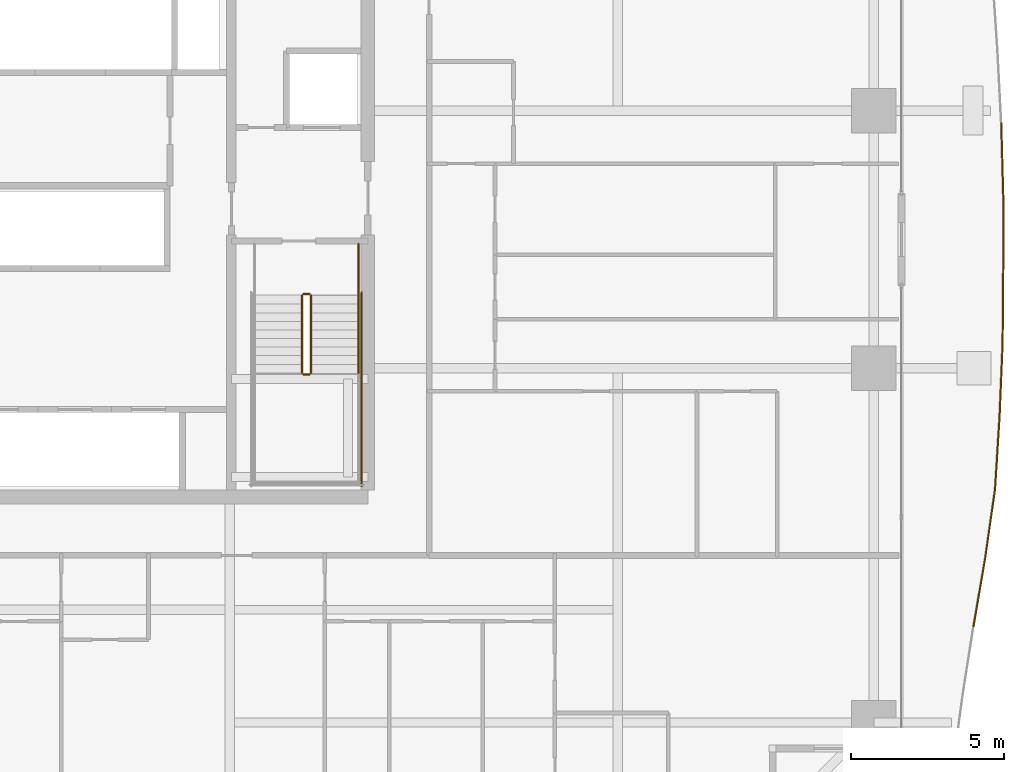
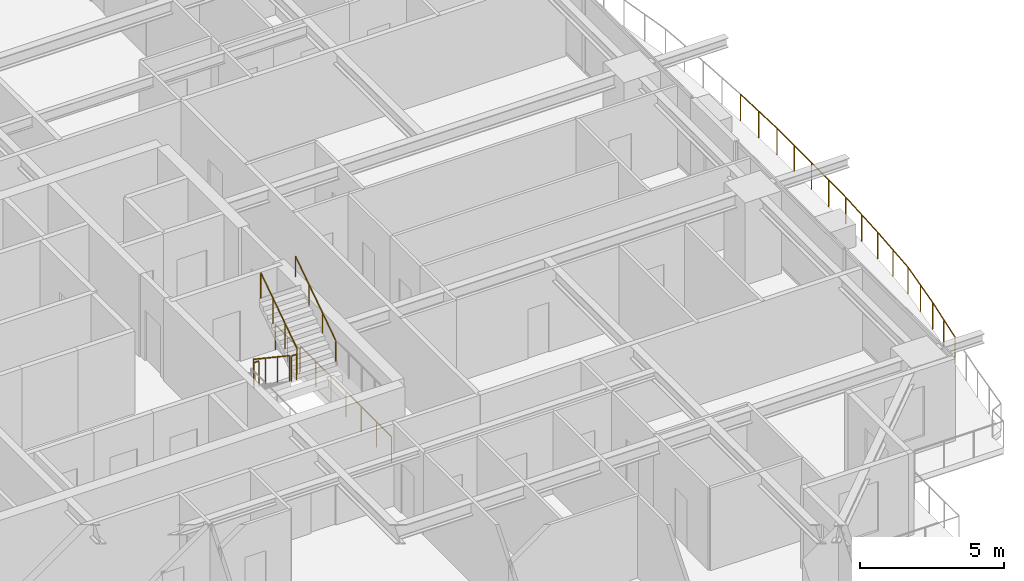
# One storey, part 37 of 39: 8 railings.
"""IFC4 building model written with IfcOpenShell, lengths in metres."""

import ifcopenshell
import ifcopenshell.guid

model = None  # the IFC model being written
_history = None  # IfcOwnerHistory: only IFC2X3 demands one
_inside = {}  # id of a spatial element -> (the spatial element, [elements in it])
_under = {}  # id of a project, library or spatial element -> (it, [spatial elements below it])
_declared = {}  # id of a project -> (the project, [libraries it declares])
_typed = {}  # id of a type object -> (the type object, [elements of that type])
_made_of = {}  # id of a material, layer set ... -> (it, [elements and type objects made of it])


def new_model(schema):
    """Start an empty IFC model of exactly this schema.

    Asked for "IFC4X3", IfcOpenShell would pick the latest addendum, in which some entities
    have other attributes; the version numbers below select the first issue.
    IFC2X3 requires an IfcOwnerHistory on every rooted entity: one is made here for all.
    """
    global model, _history
    if schema == "IFC4X3":
        model = ifcopenshell.file(schema_version=(4, 3, 0, 0))
    else:
        model = ifcopenshell.file(schema=schema)
    _inside.clear()
    _under.clear()
    _declared.clear()
    _typed.clear()
    _made_of.clear()
    _history = None
    if model.schema == "IFC2X3":
        org = make("IfcOrganization", Name="unknown")
        user = make(
            "IfcPersonAndOrganization",
            ThePerson=make("IfcPerson", FamilyName="unknown"),
            TheOrganization=org,
        )
        app = make(
            "IfcApplication",
            ApplicationDeveloper=org,
            Version="unknown",
            ApplicationFullName="unknown",
            ApplicationIdentifier="unknown",
        )
        _history = make(
            "IfcOwnerHistory",
            OwningUser=user,
            OwningApplication=app,
            ChangeAction="ADDED",
            CreationDate=0,
        )
    return model


def make(cls, **values):
    """One entity of the class cls with the attributes given. An attribute that is None is left unset."""
    return model.create_entity(
        cls, **{name: value for name, value in values.items() if value is not None}
    )


def rooted(cls, **values):
    """An entity with a GlobalId (a new one), such as an element, a storey or a relation."""
    return make(cls, GlobalId=ifcopenshell.guid.new(), OwnerHistory=_history, **values)


def si_unit(unit_type, name, prefix=None):
    """IfcSIUnit, for example si_unit("LENGTHUNIT", "METRE", prefix="MILLI")."""
    return make("IfcSIUnit", UnitType=unit_type, Prefix=prefix, Name=name)


def assignment(units):
    """IfcUnitAssignment: the units of a project."""
    return None if units is None else make("IfcUnitAssignment", Units=units)


def point(xyz):
    """IfcCartesianPoint."""
    return None if xyz is None else make("IfcCartesianPoint", Coordinates=xyz)


def direction(xyz):
    """IfcDirection."""
    return None if xyz is None else make("IfcDirection", DirectionRatios=xyz)


def frame(location, z_axis=None, x_axis=None):
    """IfcAxis2Placement3D, a coordinate frame: its origin and axes. An axis left out is left unset."""
    return make(
        "IfcAxis2Placement3D",
        Location=point(location),
        Axis=direction(z_axis),
        RefDirection=direction(x_axis),
    )


def frame_2d(location, x_axis=None):
    """IfcAxis2Placement2D, a coordinate frame in the plane: its origin and x axis."""
    return make(
        "IfcAxis2Placement2D", Location=point(location), RefDirection=direction(x_axis)
    )


def origin():
    """The frame at (0, 0, 0) with its axes left unset."""
    return frame((0.0, 0.0, 0.0))


def origin_2d():
    """The frame at (0, 0) in the plane with its x axis left unset."""
    return frame_2d((0.0, 0.0))


def place(relative_to, where):
    """IfcLocalPlacement: puts the frame where relative to a parent placement (None: the world)."""
    return make(
        "IfcLocalPlacement", PlacementRelTo=relative_to, RelativePlacement=where
    )


def context(
    kind, dimensions, precision=None, world=None, true_north=None, identifier=None
):
    """IfcGeometricRepresentationContext, for example the 3D "Model" context."""
    return make(
        "IfcGeometricRepresentationContext",
        ContextIdentifier=identifier,
        ContextType=kind,
        CoordinateSpaceDimension=dimensions,
        Precision=precision,
        WorldCoordinateSystem=world,
        TrueNorth=true_north,
    )


def subcontext(parent, identifier, kind, view, scale=None):
    """IfcGeometricRepresentationSubContext, for example "Body" below "Model"."""
    return make(
        "IfcGeometricRepresentationSubContext",
        ContextIdentifier=identifier,
        ContextType=kind,
        ParentContext=parent,
        TargetScale=scale,
        TargetView=view,
    )


def project(units=None, contexts=None):
    """IfcProject with its units and contexts."""
    return rooted(
        "IfcProject",
        Name="project",
        RepresentationContexts=contexts,
        UnitsInContext=assignment(units),
    )


def spatial(cls, under=None, at=None, **own):
    """A site, building, storey or space (cls), placed at a placement, below another one or the project."""
    s = rooted(cls, ObjectPlacement=at, **own)
    if under is not None:
        _under.setdefault(under.id(), (under, []))[1].append(s)
    return s


def profile(cls, at=None, kind="AREA", **sizes):
    """A parametric profile (cls). Its sizes go by their IFC names, for example OverallWidth=200.0."""
    return make(cls, ProfileType=kind, Position=at, **sizes)


def circle(**sizes):
    """IfcCircleProfileDef."""
    return profile("IfcCircleProfileDef", **sizes)


def extrude(swept, where, along, depth):
    """IfcExtrudedAreaSolid: the profile swept, set in the frame where, extruded along a direction by depth."""
    return make(
        "IfcExtrudedAreaSolid",
        SweptArea=swept,
        Position=where,
        ExtrudedDirection=direction(along),
        Depth=depth,
    )


def shape(context_of_items, identifier, shape_type, items):
    """IfcShapeRepresentation: the items that make up one representation, for example the "Body"."""
    return make(
        "IfcShapeRepresentation",
        ContextOfItems=context_of_items,
        RepresentationIdentifier=identifier,
        RepresentationType=shape_type,
        Items=items,
    )


def material(Name=None, Category=None):
    """IfcMaterial."""
    return make("IfcMaterial", Name=Name, Category=Category)


def made_of(thing, what):
    """Note that an element or type object is made of a material, layer set ...; save() writes the relation."""
    if what is not None:
        _made_of.setdefault(what.id(), (what, []))[1].append(thing)
    return thing


def type_object(cls, material=None, **own):
    """A type object (cls), such as IfcWallType, which elements share."""
    return made_of(rooted(cls, **own), material)


def element(
    cls,
    number,
    at=None,
    inside=None,
    cuts=None,
    type_object=None,
    material=None,
    context=None,
    identifier="Body",
    shape_type=None,
    held_by="IfcProductDefinitionShape",
    body=None,
    shapes=None,
    **own,
):
    """One element of the class cls, such as IfcWall. Its Tag is "e" and its number.

    at: its placement. inside: the storey or other place that contains it. cuts: it is an
    opening in that element (IfcRelVoidsElement). A single representation is given by context,
    identifier, shape_type and body (its items); several are given by shapes. held_by: the class
    of the entity that holds the representations. save() writes the other relations.
    """
    e = rooted(cls, Tag="e%d" % number, ObjectPlacement=at, **own)
    if body is not None:
        shapes = [shape(context, identifier, shape_type, body)]
    if shapes is not None:
        e.Representation = make(held_by, Representations=shapes)
    if inside is not None:
        _inside.setdefault(inside.id(), (inside, []))[1].append(e)
    if cuts is not None:
        rooted(
            "IfcRelVoidsElement", RelatingBuildingElement=cuts, RelatedOpeningElement=e
        )
    if type_object is not None:
        _typed.setdefault(type_object.id(), (type_object, []))[1].append(e)
    return made_of(e, material)


def aggregate(whole, parts):
    """IfcRelAggregates: a whole, such as a stair, and the parts it consists of."""
    return rooted("IfcRelAggregates", RelatingObject=whole, RelatedObjects=parts)


def save(model, path):
    """Write the relations noted so far, then the file.

    IfcRelAggregates (storeys below a building ...), IfcRelContainedInSpatialStructure (elements
    in a storey), IfcRelDefinesByType, IfcRelAssociatesMaterial and IfcRelDeclares: one each for
    every whole, place, type object, material and project.
    """
    for whole, parts in _under.values():
        aggregate(whole, parts)
    for where, things in _inside.values():
        rooted(
            "IfcRelContainedInSpatialStructure",
            RelatedElements=things,
            RelatingStructure=where,
        )
    for kind, things in _typed.values():
        rooted("IfcRelDefinesByType", RelatedObjects=things, RelatingType=kind)
    for what, things in _made_of.values():
        rooted("IfcRelAssociatesMaterial", RelatedObjects=things, RelatingMaterial=what)
    for by, libraries in _declared.values():
        rooted("IfcRelDeclares", RelatingContext=by, RelatedDefinitions=libraries)
    model.write(path)


model = new_model("IFC4")

# Units and contexts
model_context = context("Model", 3, precision=1e-05, world=origin(), true_north=direction((0.0, 1.0)))
body_context = subcontext(model_context, "Body", "Model", "MODEL_VIEW")
ifc_project = project(units=[si_unit("LENGTHUNIT", "METRE"), si_unit("AREAUNIT", "SQUARE_METRE"), si_unit("VOLUMEUNIT", "CUBIC_METRE"), si_unit("PLANEANGLEUNIT", "RADIAN"), si_unit("MASSUNIT", "GRAM", prefix="KILO")], contexts=[model_context])

# Site, building, storey
site_placement = place(None, origin())
site = spatial("IfcSite", under=ifc_project, at=site_placement, CompositionType="ELEMENT")
building_placement = place(site_placement, origin())
building = spatial("IfcBuilding", under=site, at=building_placement, Name="Serunith Strait Residences", CompositionType="ELEMENT")
storey_placement = place(building_placement, frame((0.0, 0.0, 49.199951171875)))
storey = spatial("IfcBuildingStorey", under=building, at=storey_placement, Name="L11", CompositionType="ELEMENT", Elevation=49.199951171875)

# Railings
ifc_material_1 = material(Name="Stainless Steel & Laminated Glass Balustrade", Category="steel")
railing_type_1 = type_object("IfcRailingType", Name="RLG-BALC-1150", PredefinedType="BALUSTRADE", material=ifc_material_1)
railing_1_placement = place(storey_placement, frame((62.054443359375, 29.037841796875, -0.050048828125)))
element("IfcRailing", 1, at=railing_1_placement, inside=storey, type_object=railing_type_1, Name="L11 Swirling Balcony Perimeter Balustrade 4", PredefinedType="BALUSTRADE", context=body_context, shape_type="SweptSolid", body=[
    extrude(circle(Radius=0.02392578125, at=origin_2d()), frame((0.0, -0.001953125, 1.1259765625), z_axis=(0.027329964382, -0.99962646676, 0.0), x_axis=(0.99962646676, 0.027329964382, 0.0)), (0.0, 0.0, 1.0), 2.39892578125),
    extrude(circle(Radius=0.02392578125, at=origin_2d()), frame((0.065673828125, -2.404052734375, 1.1259765625), z_axis=(0.0, -1.0, 0.0), x_axis=(1.0, 0.0, 0.0)), (0.0, 0.0, 1.0), 2.408203125),
    extrude(circle(Radius=0.02392578125, at=origin_2d()), frame((0.065673828125, -4.816162109375, 1.1259765625), z_axis=(-0.008313613119, -0.999965441321, 0.0), x_axis=(0.999965441321, -0.008313613119, 0.0)), (0.0, 0.0, 1.0), 2.404052734375),
    extrude(circle(Radius=0.02392578125, at=origin_2d()), frame((0.045654296875, -7.22412109375, 1.1259765625), z_axis=(-0.041643280955, -0.999132542334, 0.0), x_axis=(0.999132542334, -0.041643280955, 0.0)), (0.0, 0.0, 1.0), 2.387939453125),
    extrude(circle(Radius=0.02392578125, at=origin_2d()), frame((-0.05419921875, -9.614013671875, 1.1259765625), z_axis=(-0.061922096104, -0.998080985699, 0.0), x_axis=(0.998080985699, -0.061922096104, 0.0)), (0.0, 0.0, 1.0), 2.361572265625),
    extrude(circle(Radius=0.02392578125, at=origin_2d()), frame((-0.20068359375, -11.97509765625, 1.1259765625), z_axis=(-0.141838139435, -0.989889863673, 0.0), x_axis=(0.989889863673, -0.141838139435, 0.0)), (0.0, 0.0, 1.0), 2.292236328125),
    extrude(circle(Radius=0.02392578125, at=origin_2d()), frame((-0.5263671875, -14.248046875, 1.1259765625), z_axis=(-0.168480667559, -0.98570495822, 0.0), x_axis=(0.98570495822, -0.168480667559, 0.0)), (0.0, 0.0, 1.0), 2.22607421875),
    extrude(circle(Radius=0.02099609375, at=origin_2d()), origin(), (0.0, 0.0, 1.0), 1.099853515625),
    extrude(circle(Radius=0.02099609375, at=origin_2d()), frame((0.03271484375, -1.201171875, 0.0)), (0.0, 0.0, 1.0), 1.099853515625),
    extrude(circle(Radius=0.02099609375, at=origin_2d()), frame((0.065673828125, -2.402099609375, 0.0)), (0.0, 0.0, 1.0), 1.099853515625),
    extrude(circle(Radius=0.02099609375, at=origin_2d()), frame((0.065673828125, -3.608154296875, 0.0)), (0.0, 0.0, 1.0), 1.099853515625),
    extrude(circle(Radius=0.02099609375, at=origin_2d()), frame((0.065673828125, -4.814208984375, 0.0)), (0.0, 0.0, 1.0), 1.099853515625),
    extrude(circle(Radius=0.02099609375, at=origin_2d()), frame((0.0556640625, -6.01806640625, 0.0)), (0.0, 0.0, 1.0), 1.099853515625),
    extrude(circle(Radius=0.02099609375, at=origin_2d()), frame((0.045654296875, -7.22216796875, 0.0)), (0.0, 0.0, 1.0), 1.099853515625),
    extrude(circle(Radius=0.02099609375, at=origin_2d()), frame((-0.004150390625, -8.4169921875, 0.0)), (0.0, 0.0, 1.0), 1.099853515625),
    extrude(circle(Radius=0.02099609375, at=origin_2d()), frame((-0.053955078125, -9.612060546875, 0.0)), (0.0, 0.0, 1.0), 1.099853515625),
    extrude(circle(Radius=0.02099609375, at=origin_2d()), frame((-0.127197265625, -10.79248046875, 0.0)), (0.0, 0.0, 1.0), 1.099853515625),
    extrude(circle(Radius=0.02099609375, at=origin_2d()), frame((-0.200439453125, -11.97314453125, 0.0)), (0.0, 0.0, 1.0), 1.099853515625),
    extrude(circle(Radius=0.02099609375, at=origin_2d()), frame((-0.36328125, -13.109619140625, 0.0)), (0.0, 0.0, 1.0), 1.099853515625),
    extrude(circle(Radius=0.02099609375, at=origin_2d()), frame((-0.526123046875, -14.24609375, 0.0)), (0.0, 0.0, 1.0), 1.099853515625),
    extrude(circle(Radius=0.02099609375, at=origin_2d()), frame((-0.7138671875, -15.34521484375, 0.0)), (0.0, 0.0, 1.0), 1.099853515625),
    extrude(circle(Radius=0.02099609375, at=origin_2d()), frame((-0.90185546875, -16.4443359375, 0.0)), (0.0, 0.0, 1.0), 1.099853515625),
])
ifc_material_2 = material(Name="Brushed stainless steel 316L", Category="steel")
railing_type_2 = type_object("IfcRailingType", Name="RLG-STAIR-GUARD", PredefinedType="BALUSTRADE", material=ifc_material_2)
railing_2_placement = place(storey_placement, frame((39.25, 23.3701171875, 0.1875)))
element("IfcRailing", 2, at=railing_2_placement, inside=storey, type_object=railing_type_2, Name="L11 ST-2 stair guard 1", PredefinedType="BALUSTRADE", context=body_context, shape_type="SweptSolid", body=[
    extrude(circle(Radius=0.02392578125, at=origin_2d()), frame((0.0, -0.001708984375, 1.0771484375), z_axis=(0.0, -0.830909170722, 0.55640807867), x_axis=(1.0, 0.0, 0.0)), (0.0, 0.0, 1.0), 3.02880859375),
    extrude(circle(Radius=0.02099609375, at=origin_2d()), origin(), (0.0, 0.0, 1.0), 1.050048828125),
    extrude(circle(Radius=0.02099609375, at=origin_2d()), frame((0.0, -0.840087890625, 0.5625)), (0.0, 0.0, 1.0), 1.050048828125),
    extrude(circle(Radius=0.02099609375, at=origin_2d()), frame((0.0, -1.679931640625, 1.125)), (0.0, 0.0, 1.0), 1.050048828125),
    extrude(circle(Radius=0.02099609375, at=origin_2d()), frame((0.0, -2.52001953125, 1.6875)), (0.0, 0.0, 1.0), 1.050048828125),
])
railing_3_placement = place(storey_placement, frame((39.300048828125, 20.800048828125, 1.875)))
element("IfcRailing", 3, at=railing_3_placement, inside=storey, type_object=railing_type_2, Name="L11 ST-2 stair guard 2", PredefinedType="BALUSTRADE", context=body_context, shape_type="SweptSolid", body=[
    extrude(circle(Radius=0.02392578125, at=origin_2d()), frame((0.001953125, 0.0, 1.076171875), z_axis=(1.0, 0.0, 0.0), x_axis=(0.0, 1.0, 0.0)), (0.0, 0.0, 1.0), 0.196044921875),
    extrude(circle(Radius=0.02099609375, at=origin_2d()), origin(), (0.0, 0.0, 1.0), 1.050048828125),
    extrude(circle(Radius=0.02099609375, at=origin_2d()), frame((0.199951171875, 0.0, 0.0)), (0.0, 0.0, 1.0), 1.050048828125),
])
railing_4_placement = place(storey_placement, frame((39.550048828125, 20.85009765625, 2.0625)))
element("IfcRailing", 4, at=railing_4_placement, inside=storey, type_object=railing_type_2, Name="L11 ST-2 stair guard 6", PredefinedType="BALUSTRADE", context=body_context, shape_type="SweptSolid", body=[
    extrude(circle(Radius=0.02392578125, at=origin_2d()), frame((0.0, 0.001708984375, 1.0771484375), z_axis=(0.0, 0.830909170722, 0.55640807867), x_axis=(-1.0, 0.0, 0.0)), (0.0, 0.0, 1.0), 3.02880859375),
    extrude(circle(Radius=0.02099609375, at=origin_2d()), origin(), (0.0, 0.0, 1.0), 1.050048828125),
    extrude(circle(Radius=0.02099609375, at=origin_2d()), frame((0.0, 0.840087890625, 0.5625)), (0.0, 0.0, 1.0), 1.050048828125),
    extrude(circle(Radius=0.02099609375, at=origin_2d()), frame((0.0, 1.679931640625, 1.125)), (0.0, 0.0, 1.0), 1.050048828125),
    extrude(circle(Radius=0.02099609375, at=origin_2d()), frame((0.0, 2.52001953125, 1.6875)), (0.0, 0.0, 1.0), 1.050048828125),
])
railing_5_placement = place(storey_placement, frame((39.300048828125, 23.419921875, 0.0)))
element("IfcRailing", 5, at=railing_5_placement, inside=storey, type_object=railing_type_2, Name="L11 ST-2 stair guard 7", PredefinedType="BALUSTRADE", context=body_context, shape_type="SweptSolid", body=[
    extrude(circle(Radius=0.02392578125, at=origin_2d()), frame((0.001953125, 0.0, 1.076171875), z_axis=(1.0, 0.0, 0.0), x_axis=(0.0, 1.0, 0.0)), (0.0, 0.0, 1.0), 0.196044921875),
    extrude(circle(Radius=0.02099609375, at=origin_2d()), origin(), (0.0, 0.0, 1.0), 1.050048828125),
    extrude(circle(Radius=0.02099609375, at=origin_2d()), frame((0.199951171875, 0.0, 0.0)), (0.0, 0.0, 1.0), 1.050048828125),
])
railing_6_placement = place(storey_placement, frame((41.10009765625, 25.050048828125, 0.0)))
element("IfcRailing", 6, at=railing_6_placement, inside=storey, type_object=railing_type_2, Name="L11 ST-2 stair guard 9", PredefinedType="BALUSTRADE", context=body_context, shape_type="SweptSolid", body=[
    extrude(circle(Radius=0.02392578125, at=origin_2d()), frame((0.0, -0.001953125, 1.076171875), z_axis=(0.0, -1.0, 0.0), x_axis=(1.0, 0.0, 0.0)), (0.0, 0.0, 1.0), 1.676025390625),
    extrude(circle(Radius=0.02099609375, at=origin_2d()), origin(), (0.0, 0.0, 1.0), 1.050048828125),
    extrude(circle(Radius=0.02099609375, at=origin_2d()), frame((0.0, -0.83984375, 0.0)), (0.0, 0.0, 1.0), 1.050048828125),
    extrude(circle(Radius=0.02099609375, at=origin_2d()), frame((0.0, -1.679931640625, 0.0)), (0.0, 0.0, 1.0), 1.050048828125),
])
railing_7_placement = place(storey_placement, frame((41.199951171875, 23.469970703125, 0.0)))
element("IfcRailing", 7, at=railing_7_placement, inside=storey, type_object=railing_type_2, Name="L11 ST-2 stair guard 11", PredefinedType="BALUSTRADE", context=body_context, shape_type="SweptSolid", body=[
    extrude(circle(Radius=0.02392578125, at=origin_2d()), frame((0.0, -0.001953125, 1.076171875), z_axis=(0.0, -1.0, 0.0), x_axis=(1.0, 0.0, 0.0)), (0.0, 0.0, 1.0), 6.316162109375),
    extrude(circle(Radius=0.02099609375, at=origin_2d()), origin(), (0.0, 0.0, 1.0), 1.050048828125),
    extrude(circle(Radius=0.02099609375, at=origin_2d()), frame((0.0, -1.05322265625, 0.0)), (0.0, 0.0, 1.0), 1.050048828125),
    extrude(circle(Radius=0.02099609375, at=origin_2d()), frame((0.0, -2.106689453125, 0.0)), (0.0, 0.0, 1.0), 1.050048828125),
    extrude(circle(Radius=0.02099609375, at=origin_2d()), frame((0.0, -3.16015625, 0.0)), (0.0, 0.0, 1.0), 1.050048828125),
    extrude(circle(Radius=0.02099609375, at=origin_2d()), frame((0.0, -4.21337890625, 0.0)), (0.0, 0.0, 1.0), 1.050048828125),
    extrude(circle(Radius=0.02099609375, at=origin_2d()), frame((0.0, -5.2666015625, 0.0)), (0.0, 0.0, 1.0), 1.050048828125),
    extrude(circle(Radius=0.02099609375, at=origin_2d()), frame((0.0, -6.320068359375, 0.0)), (0.0, 0.0, 1.0), 1.050048828125),
])
railing_type_3 = type_object("IfcRailingType", Name="RLG-STAIR-HR", PredefinedType="HANDRAIL", material=ifc_material_2)
railing_8_placement = place(storey_placement, frame((41.10009765625, 20.85009765625, 2.0625)))
element("IfcRailing", 8, at=railing_8_placement, inside=storey, type_object=railing_type_3, Name="L11 ST-2 stair handrail 2", PredefinedType="HANDRAIL", context=body_context, shape_type="SweptSolid", body=[
    extrude(circle(Radius=0.02392578125, at=origin_2d()), frame((0.0, 0.001708984375, 0.876953125), z_axis=(0.0, 0.830185712471, 0.557486935101), x_axis=(-1.0, 0.0, 0.0)), (0.0, 0.0, 1.0), 3.368408203125),
    extrude(circle(Radius=0.02099609375, at=origin_2d()), origin(), (0.0, 0.0, 1.0), 0.849853515625),
    extrude(circle(Radius=0.02099609375, at=origin_2d()), frame((0.0, 0.933349609375, 0.626708984375)), (0.0, 0.0, 1.0), 0.849853515625),
    extrude(circle(Radius=0.02099609375, at=origin_2d()), frame((0.0, 1.866455078125, 1.25341796875)), (0.0, 0.0, 1.0), 0.849853515625),
    extrude(circle(Radius=0.02099609375, at=origin_2d()), frame((0.0, 2.7998046875, 1.880126953125)), (0.0, 0.0, 1.0), 0.849853515625),
])

save(model, "model.ifc")
